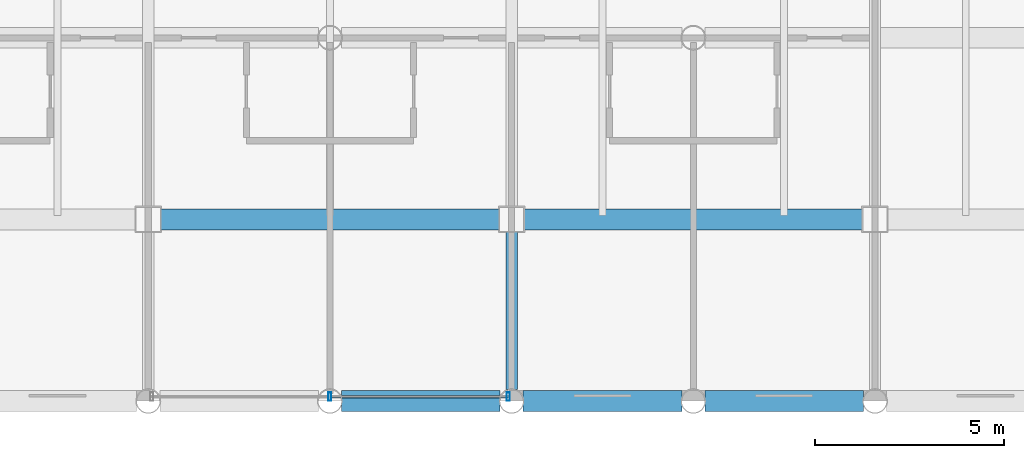
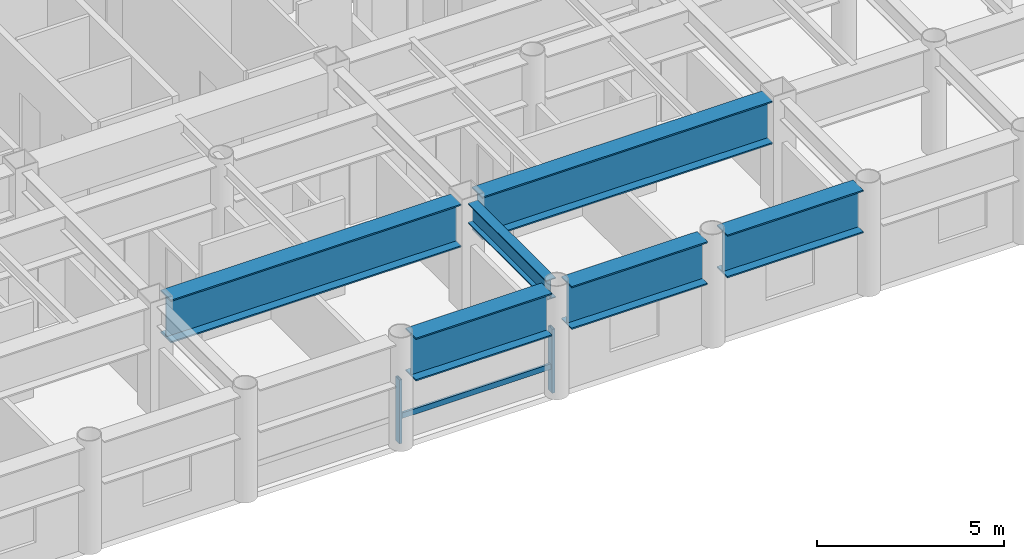
# One storey, part 6 of 23: 6 beams, 3 members, 1 element without a shape of its own.
"""IFC4 building model written with IfcOpenShell, lengths in metres."""

from ifc_helpers import new_model, si_unit, direction, frame, origin, origin_2d, place, context, subcontext, project, spatial, hollow_rectangle, i_section, extrude, material, layer, layer_set, material_profile, profile_set, type_object, element, aggregate, save


model = new_model("IFC4")

# Units and contexts
model_context = context("Model", 3, precision=1e-05, world=origin(), true_north=direction((0.0, 1.0)))
body_context = subcontext(model_context, "Body", "Model", "MODEL_VIEW")
ifc_project = project(units=[si_unit("LENGTHUNIT", "METRE"), si_unit("AREAUNIT", "SQUARE_METRE"), si_unit("VOLUMEUNIT", "CUBIC_METRE"), si_unit("PLANEANGLEUNIT", "RADIAN"), si_unit("MASSUNIT", "GRAM", prefix="KILO")], contexts=[model_context])

# Site, building, storey
site_placement = place(None, origin())
site = spatial("IfcSite", under=ifc_project, at=site_placement, CompositionType="ELEMENT")
building_placement = place(site_placement, origin())
building = spatial("IfcBuilding", under=site, at=building_placement, Name="Kallvorn Hotel Tower", CompositionType="ELEMENT")
storey_placement = place(building_placement, frame((0.0, 0.0, 124.800048828125)))
storey = spatial("IfcBuildingStorey", under=building, at=storey_placement, Name="L30", CompositionType="ELEMENT", Elevation=124.800048828125)

# Beams
ifc_material_1 = material(Name="Structural steel S355JR", Category="steel")
ifc_material_profile_1 = material_profile(ifc_material_1, i_section(OverallWidth=0.300048828125, OverallDepth=0.64990234375, WebThickness=0.01611328125, FlangeThickness=0.031005859375, at=origin_2d()), Name="HE 650 B")
ifc_profile_set_1 = profile_set([ifc_material_profile_1], Name="Structural steel S355JR")
beam_type_1 = type_object("IfcBeamType", Name="BM_HE650B", PredefinedType="BEAM", material=ifc_profile_set_1)
beam_1_placement = place(storey_placement, frame((4.800048828125, -18.89501953125, 3.195068359375), z_axis=(0.0, 1.0, 0.0), x_axis=(-1.0, 0.0, 0.0)))
element("IfcBeam", 1, at=beam_1_placement, inside=storey, type_object=beam_type_1, Name="L31 Primary Y-Girder 114", PredefinedType="BEAM", context=body_context, shape_type="SweptSolid", body=[
    extrude(i_section(OverallWidth=0.300048828125, OverallDepth=0.64990234375, WebThickness=0.01611328125, FlangeThickness=0.031005859375, at=origin_2d()), origin(), (0.0, 0.0, 1.0), 4.169921875),
])
ifc_material_2 = material(Name="Structural steel S355JR", Category="steel")
ifc_material_profile_2 = material_profile(ifc_material_2, i_section(OverallWidth=0.550048828125, OverallDepth=1.39990234375, WebThickness=0.02490234375, FlangeThickness=0.044921875, at=origin_2d()), Name="PG 1400x550x25x45")
ifc_profile_set_2 = profile_set([ifc_material_profile_2], Name="Structural steel S355JR")
beam_type_2 = type_object("IfcBeamType", Name="BM_PG_1400", PredefinedType="BEAM", material=ifc_profile_set_2)
beam_2_placement = place(storey_placement, frame((0.304931640625, -19.199951171875, 2.820068359375), z_axis=(1.0, 0.0, 0.0), x_axis=(0.0, 1.0, 0.0)))
element("IfcBeam", 2, at=beam_2_placement, inside=storey, type_object=beam_type_2, Name="L31 Primary X-Girder 07", PredefinedType="BEAM", context=body_context, shape_type="SweptSolid", body=[
    extrude(i_section(OverallWidth=0.550048828125, OverallDepth=1.39990234375, WebThickness=0.02490234375, FlangeThickness=0.044921875, at=origin_2d()), origin(), (0.0, 0.0, 1.0), 4.190185546875),
])
for number, where, z_axis, x_axis, name in (
    (3, (5.10498046875, -19.199951171875, 2.820068359375), (1.0, 0.0, 0.0), (0.0, 1.0, 0.0), "L31 Primary X-Girder 08"),
    (4, (9.905029296875, -19.199951171875, 2.820068359375), (1.0, 0.0, 0.0), (0.0, 1.0, 0.0), "L31 Primary X-Girder 09"),
):
    element("IfcBeam", number, at=place(storey_placement, frame(where, z_axis=z_axis, x_axis=x_axis)), inside=storey, type_object=beam_type_2, Name=name, PredefinedType="BEAM", context=body_context, shape_type="SweptSolid", body=[
        extrude(i_section(OverallWidth=0.550048828125, OverallDepth=1.39990234375, WebThickness=0.02490234375, FlangeThickness=0.044921875, at=origin_2d()), origin(), (0.0, 0.0, 1.0), 4.18994140625),
    ])
beam_3_placement = place(storey_placement, frame((-4.47509765625, -14.39990234375, 2.820068359375), z_axis=(1.0, 0.0, 0.0), x_axis=(0.0, 1.0, 0.0)))
element("IfcBeam", 5, at=beam_3_placement, inside=storey, type_object=beam_type_2, Name="L31 Primary X-Girder 18", PredefinedType="BEAM", context=body_context, shape_type="SweptSolid", body=[
    extrude(i_section(OverallWidth=0.550048828125, OverallDepth=1.39990234375, WebThickness=0.02490234375, FlangeThickness=0.044921875, at=origin_2d()), origin(), (0.0, 0.0, 1.0), 8.9501953125),
])
beam_4_placement = place(storey_placement, frame((5.125, -14.39990234375, 2.820068359375), z_axis=(1.0, 0.0, 0.0), x_axis=(0.0, 1.0, 0.0)))
element("IfcBeam", 6, at=beam_4_placement, inside=storey, type_object=beam_type_2, Name="L31 Primary X-Girder 19", PredefinedType="BEAM", context=body_context, shape_type="SweptSolid", body=[
    extrude(i_section(OverallWidth=0.550048828125, OverallDepth=1.39990234375, WebThickness=0.02490234375, FlangeThickness=0.044921875, at=origin_2d()), origin(), (0.0, 0.0, 1.0), 8.949951171875),
])

# Curtain wall, members
ifc_material_3 = material(Name="Thermally broken black-anodised aluminium AA 6063-T6", Category="aluminium")
ifc_layer = layer(ifc_material_3, 0.2099609375)
ifc_layer_set = layer_set([ifc_layer], Name="CW_SYS_4_HOTEL_MID")
curtain_wall_type = type_object("IfcCurtainWallType", Name="CW_SYS_4_HOTEL_MID", PredefinedType="USERDEFINED", material=ifc_layer_set)
curtain_wall_placement = place(storey_placement, origin())
curtain_wall = element("IfcCurtainWall", 7, at=curtain_wall_placement, inside=storey, type_object=curtain_wall_type, Name="L30 Dark-Glass Curtain Wall CW-L30-SC", ObjectType="UNITISED CURTAIN WALL", PredefinedType="USERDEFINED")
ifc_material_4 = material(Name="Thermally broken black-anodised aluminium AA 6063-T6", Category="aluminium")
ifc_material_profile_3 = material_profile(ifc_material_4, hollow_rectangle(XDim=0.080078125, YDim=0.219970703125, WallThickness=0.0048828125, at=origin_2d()), Name="MUL 220x80")
ifc_profile_set_3 = profile_set([ifc_material_profile_3], Name="Thermally broken black-anodised aluminium AA 6063-T6")
member_type_1 = type_object("IfcMemberType", Name="CW_MULLION_220x80", PredefinedType="MULLION", material=ifc_profile_set_3)
member_1_placement = place(storey_placement, frame((0.0, -19.080078125, 0.02001953125), z_axis=(0.0, 0.0, 1.0), x_axis=(1.0, 0.0, 0.0)))
member_1 = element("IfcMember", 8, at=member_1_placement, type_object=member_type_1, Name="CW-L30-SC Mullion 01", PredefinedType="MULLION", context=body_context, shape_type="SweptSolid", body=[
    extrude(hollow_rectangle(XDim=0.080078125, YDim=0.219970703125, WallThickness=0.0048828125, at=origin_2d()), origin(), (0.0, 0.0, 1.0), 2.079833984375),
])
member_2_placement = place(storey_placement, frame((4.7099609375, -19.080078125, 0.02001953125), z_axis=(0.0, 0.0, 1.0), x_axis=(1.0, 0.0, 0.0)))
member_2 = element("IfcMember", 9, at=member_2_placement, type_object=member_type_1, Name="CW-L30-SC Mullion 02", PredefinedType="MULLION", context=body_context, shape_type="SweptSolid", body=[
    extrude(hollow_rectangle(XDim=0.080078125, YDim=0.219970703125, WallThickness=0.0048828125, at=origin_2d()), origin(), (0.0, 0.0, 1.0), 2.079833984375),
])
ifc_material_5 = material(Name="Thermally broken black-anodised aluminium AA 6063-T6", Category="aluminium")
ifc_material_profile_4 = material_profile(ifc_material_5, hollow_rectangle(XDim=0.070068359375, YDim=0.179931640625, WallThickness=0.00390625, at=origin_2d()), Name="TRN 180x70")
ifc_profile_set_4 = profile_set([ifc_material_profile_4], Name="Thermally broken black-anodised aluminium AA 6063-T6")
member_type_2 = type_object("IfcMemberType", Name="CW_TRANSOM_180x70", PredefinedType="USERDEFINED", material=ifc_profile_set_4)
member_3_placement = place(storey_placement, frame((0.0400390625, -19.080078125, 0.849853515625), z_axis=(1.0, 0.0, 0.0), x_axis=(0.0, 1.0, 0.0)))
member_3 = element("IfcMember", 10, at=member_3_placement, type_object=member_type_2, Name="CW-L30-SC Transom 01M", ObjectType="TRANSOM", PredefinedType="USERDEFINED", context=body_context, shape_type="SweptSolid", body=[
    extrude(hollow_rectangle(XDim=0.070068359375, YDim=0.179931640625, WallThickness=0.00390625, at=origin_2d()), origin(), (0.0, 0.0, 1.0), 4.669921875),
])
aggregate(curtain_wall, [member_1, member_2, member_3])

save(model, "model.ifc")
